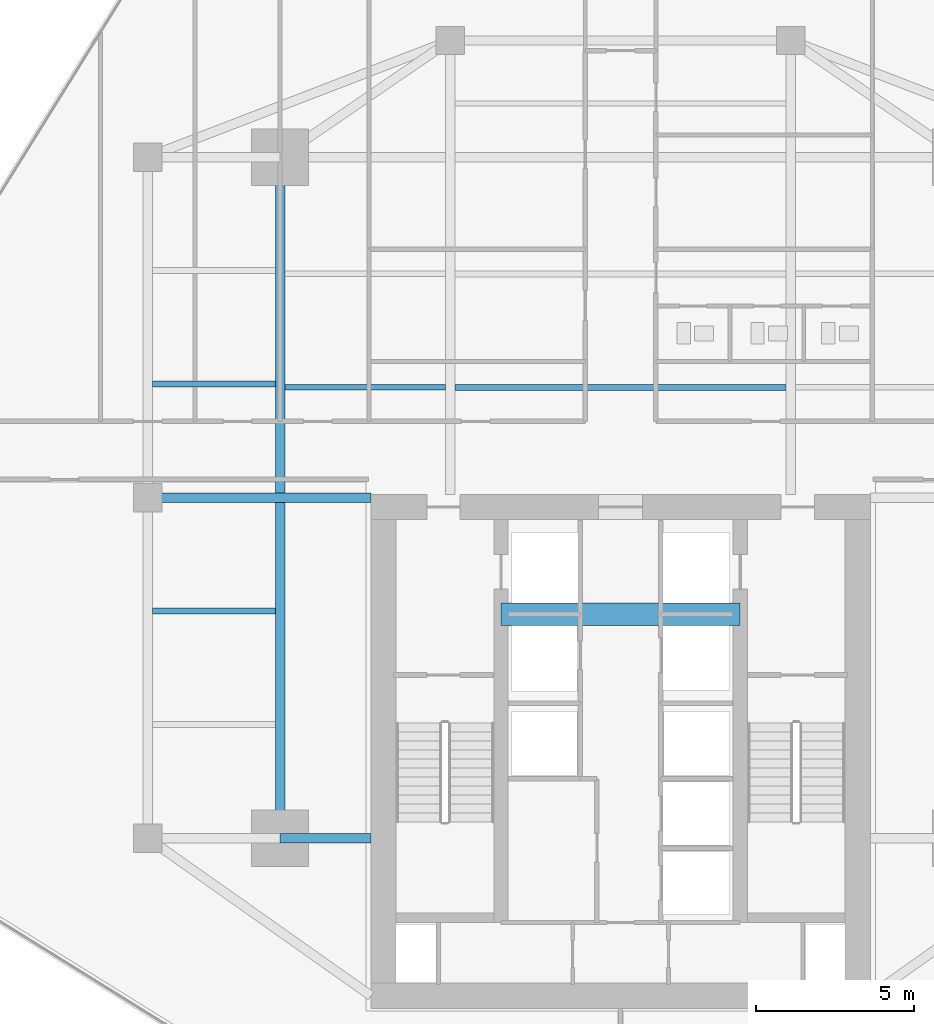
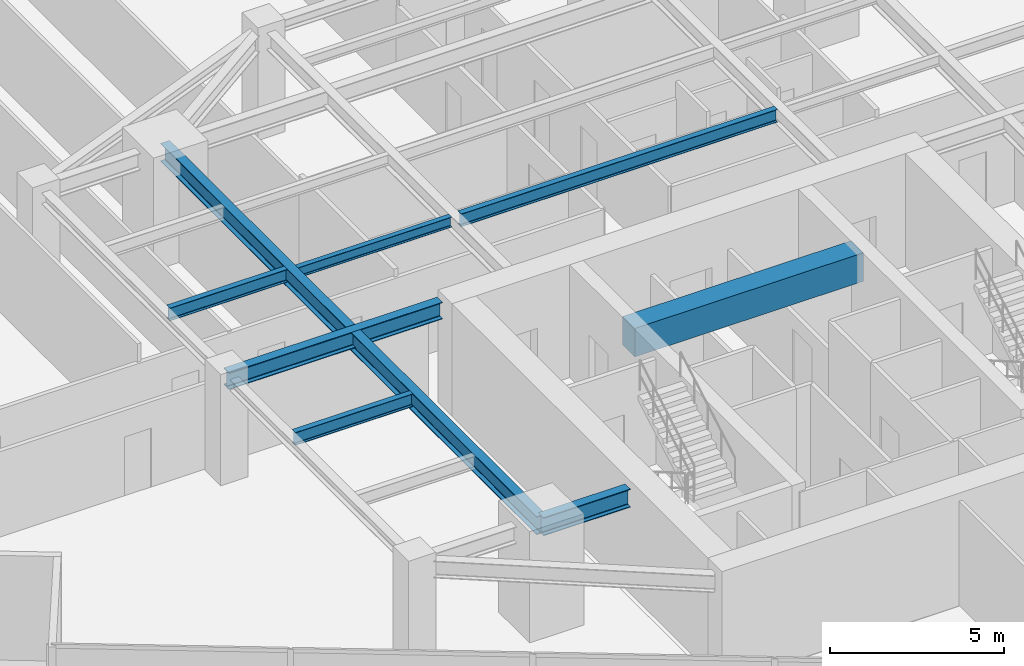
# One storey, part 8 of 26: 8 beams.
"""IFC4 building model written with IfcOpenShell, lengths in metres."""

from ifc_helpers import new_model, si_unit, direction, frame, origin, origin_2d, place, context, subcontext, project, spatial, rectangle, i_section, extrude, source, transform, mapped, material, material_profile, profile_set, type_object, type_shapes, element, save


model = new_model("IFC4")

# Units and contexts
model_context = context("Model", 3, precision=1e-05, world=origin(), true_north=direction((0.0, 1.0)))
body_context = subcontext(model_context, "Body", "Model", "MODEL_VIEW")
ifc_project = project(units=[si_unit("LENGTHUNIT", "METRE"), si_unit("AREAUNIT", "SQUARE_METRE"), si_unit("VOLUMEUNIT", "CUBIC_METRE"), si_unit("PLANEANGLEUNIT", "RADIAN"), si_unit("MASSUNIT", "GRAM", prefix="KILO")], contexts=[model_context])

# Site, building, storey
site_placement = place(None, origin())
site = spatial("IfcSite", under=ifc_project, at=site_placement, CompositionType="ELEMENT")
building_placement = place(site_placement, origin())
building = spatial("IfcBuilding", under=site, at=building_placement, Name="Krantzveldt Concourse Tower", CompositionType="ELEMENT")
storey_placement = place(building_placement, frame((0.0, 0.0, 173.85009765625)))
storey = spatial("IfcBuildingStorey", under=building, at=storey_placement, Name="L42", CompositionType="ELEMENT", Elevation=173.85009765625)

# Beams
ifc_material_1 = material(Name="Steel S355JR", Category="steel")
ifc_material_profile_1 = material_profile(ifc_material_1, i_section(OverallWidth=0.300048828125, OverallDepth=0.639892578125, WebThickness=0.013427734375, FlangeThickness=0.02587890625, FilletRadius=0.027099609375, at=origin_2d()), Name="Steel S355JR", Category="steel")
ifc_profile_set_1 = profile_set([ifc_material_profile_1], Name="Steel S355JR - HEA 650")
beam_type_1 = type_object("IfcBeamType", Name="BM-B-HEA650", PredefinedType="BEAM", material=ifc_profile_set_1)
shared_shape_1 = source(origin(), body_context, "Body", "SweptSolid", [
    extrude(i_section(OverallWidth=0.300048828125, OverallDepth=0.639892578125, WebThickness=0.013427734375, FlangeThickness=0.02587890625, FilletRadius=0.027099609375, at=origin_2d()), origin(), (0.0, 0.0, 1.0), 21.60009765625),
])
beam_1_placement = place(storey_placement, frame((25.199951171875, 15.89990234375, 3.349853515625), z_axis=(0.0, 1.0, 0.0), x_axis=(-1.0, 0.0, 0.0)))
element("IfcBeam", 1, at=beam_1_placement, inside=storey, type_object=beam_type_1, Name="L42 Tower Girder BG-MW", PredefinedType="BEAM", context=body_context, shape_type="MappedRepresentation", body=[
    mapped(shared_shape_1, transform((0.0, 0.0, 0.0), x_axis=(1.0, 0.0, 0.0), y_axis=(0.0, 1.0, 0.0), z_axis=(0.0, 0.0, 1.0), scale=1.0)),
])
ifc_material_profile_2 = material_profile(ifc_material_1, i_section(OverallWidth=0.300048828125, OverallDepth=0.590087890625, WebThickness=0.012939453125, FlangeThickness=0.02490234375, FilletRadius=0.027099609375, at=origin_2d()), Name="Steel S355JR", Category="steel")
ifc_profile_set_2 = profile_set([ifc_material_profile_2], Name="Steel S355JR - HEA 600")
beam_type_2 = type_object("IfcBeamType", Name="BM-B-HEA600", PredefinedType="BEAM", material=ifc_profile_set_2)
shared_shape_2 = source(origin(), body_context, "Body", "SweptSolid", [
    extrude(i_section(OverallWidth=0.300048828125, OverallDepth=0.590087890625, WebThickness=0.012939453125, FlangeThickness=0.02490234375, FilletRadius=0.027099609375, at=origin_2d()), origin(), (0.0, 0.0, 1.0), 7.080078125),
])
type_shapes(beam_type_2, [shared_shape_2])
beam_2_placement = place(storey_placement, frame((21.0, 26.699951171875, 3.375), z_axis=(1.0, 0.0, 0.0), x_axis=(0.0, 1.0, 0.0)))
element("IfcBeam", 2, at=beam_2_placement, inside=storey, type_object=beam_type_2, Name="L42 Tower Girder BG-CW2", PredefinedType="BEAM", context=body_context, shape_type="MappedRepresentation", body=[
    mapped(shared_shape_2, transform((0.0, 0.0, 0.0), x_axis=(1.0, 0.0, 0.0), y_axis=(0.0, 1.0, 0.0), z_axis=(0.0, 0.0, 1.0), scale=1.0)),
])
ifc_material_profile_3 = material_profile(ifc_material_1, i_section(OverallWidth=0.18994140625, OverallDepth=0.449951171875, WebThickness=0.009521484375, FlangeThickness=0.0146484375, FilletRadius=0.02099609375, at=origin_2d()), Name="Steel S355JR", Category="steel")
ifc_profile_set_3 = profile_set([ifc_material_profile_3], Name="Steel S355JR - IPE 450")
beam_type_3 = type_object("IfcBeamType", Name="BM-J-IPE450", PredefinedType="JOIST", material=ifc_profile_set_3)
shared_shape_3 = source(origin(), body_context, "Body", "SweptSolid", [
    extrude(i_section(OverallWidth=0.18994140625, OverallDepth=0.449951171875, WebThickness=0.009521484375, FlangeThickness=0.0146484375, FilletRadius=0.02099609375, at=origin_2d()), origin(), (0.0, 0.0, 1.0), 10.5),
])
beam_3_placement = place(storey_placement, frame((30.75, 30.199951171875, 3.44482421875), z_axis=(1.0, 0.0, 0.0), x_axis=(0.0, 1.0, 0.0)))
element("IfcBeam", 3, at=beam_3_placement, inside=storey, type_object=beam_type_3, Name="L42 Secondary Floor Joist JN-C1", PredefinedType="JOIST", context=body_context, shape_type="MappedRepresentation", body=[
    mapped(shared_shape_3, transform((0.0, 0.0, 0.0), x_axis=(1.0, 0.0, 0.0), y_axis=(0.0, 1.0, 0.0), z_axis=(0.0, 0.0, 1.0), scale=1.0)),
])
ifc_material_2 = material(Name="Concrete C50/60", Category="concrete")
ifc_material_profile_4 = material_profile(ifc_material_2, rectangle(XDim=0.699951171875, YDim=1.0, at=origin_2d()), Name="Concrete C50/60", Category="concrete")
ifc_profile_set_4 = profile_set([ifc_material_profile_4], Name="Concrete C50/60 - RC-CB 700x1000")
beam_type_4 = type_object("IfcBeamType", Name="BM-CB-1000", PredefinedType="LINTEL", material=ifc_profile_set_4)
shared_shape_4 = source(origin(), body_context, "Body", "SweptSolid", [
    extrude(rectangle(XDim=0.699951171875, YDim=1.0, at=origin_2d()), origin(), (0.0, 0.0, 1.0), 7.580078125),
])
type_shapes(beam_type_4, [shared_shape_4])
beam_4_placement = place(storey_placement, frame((32.2099609375, 23.0, 3.169921875), z_axis=(1.0, 0.0, 0.0), x_axis=(0.0, 1.0, 0.0)))
element("IfcBeam", 4, at=beam_4_placement, inside=storey, type_object=beam_type_4, Name="CB-L42-01", PredefinedType="LINTEL", context=body_context, shape_type="MappedRepresentation", body=[
    mapped(shared_shape_4, transform((0.0, 0.0, 0.0), x_axis=(1.0, 0.0, 0.0), y_axis=(0.0, 1.0, 0.0), z_axis=(0.0, 0.0, 1.0), scale=1.0)),
])
shared_shape_5 = source(origin(), body_context, "Body", "SweptSolid", [
    extrude(i_section(OverallWidth=0.300048828125, OverallDepth=0.639892578125, WebThickness=0.013427734375, FlangeThickness=0.02587890625, FilletRadius=0.027099609375, at=origin_2d()), origin(), (0.0, 0.0, 1.0), 2.880126953125),
])
type_shapes(beam_type_1, [shared_shape_1, shared_shape_5])
beam_5_placement = place(storey_placement, frame((25.199951171875, 15.89990234375, 3.349853515625), z_axis=(1.0, 0.0, 0.0), x_axis=(0.0, 1.0, 0.0)))
element("IfcBeam", 5, at=beam_5_placement, inside=storey, type_object=beam_type_1, Name="L42 Tower Girder BG-CW1", PredefinedType="BEAM", context=body_context, shape_type="MappedRepresentation", body=[
    mapped(shared_shape_5, transform((0.0, 0.0, 0.0), x_axis=(1.0, 0.0, 0.0), y_axis=(0.0, 1.0, 0.0), z_axis=(0.0, 0.0, 1.0), scale=1.0)),
])
ifc_material_profile_5 = material_profile(ifc_material_1, i_section(OverallWidth=0.169921875, OverallDepth=0.360107421875, WebThickness=0.008056640625, FlangeThickness=0.0126953125, FilletRadius=0.01806640625, at=origin_2d()), Name="Steel S355JR", Category="steel")
ifc_profile_set_5 = profile_set([ifc_material_profile_5], Name="Steel S355JR - IPE 360")
beam_type_5 = type_object("IfcBeamType", Name="BM-J-IPE360", PredefinedType="JOIST", material=ifc_profile_set_5)
shared_shape_6 = source(origin(), body_context, "Body", "SweptSolid", [
    extrude(i_section(OverallWidth=0.169921875, OverallDepth=0.360107421875, WebThickness=0.008056640625, FlangeThickness=0.0126953125, FilletRadius=0.01806640625, at=origin_2d()), origin(), (0.0, 0.0, 1.0), 5.099853515625),
])
type_shapes(beam_type_5, [shared_shape_6])
beam_6_placement = place(storey_placement, frame((25.35009765625, 30.199951171875, 3.489990234375), z_axis=(1.0, 0.0, 0.0), x_axis=(0.0, 1.0, 0.0)))
element("IfcBeam", 6, at=beam_6_placement, inside=storey, type_object=beam_type_5, Name="L42 Secondary Floor Joist JN-W1", PredefinedType="JOIST", context=body_context, shape_type="MappedRepresentation", body=[
    mapped(shared_shape_6, transform((0.0, 0.0, 0.0), x_axis=(1.0, 0.0, 0.0), y_axis=(0.0, 1.0, 0.0), z_axis=(0.0, 0.0, 1.0), scale=1.0)),
])
shared_shape_7 = source(origin(), body_context, "Body", "SweptSolid", [
    extrude(i_section(OverallWidth=0.18994140625, OverallDepth=0.449951171875, WebThickness=0.009521484375, FlangeThickness=0.0146484375, FilletRadius=0.02099609375, at=origin_2d()), origin(), (0.0, 0.0, 1.0), 3.900146484375),
])
type_shapes(beam_type_3, [shared_shape_3, shared_shape_7])
for number, where, z_axis, x_axis, name in (
    (7, (21.14990234375, 23.10009765625, 3.44482421875), (1.0, 0.0, 0.0), (0.0, 1.0, 0.0), "L42 Secondary Floor Joist JW-2"),
    (8, (21.14990234375, 30.300048828125, 3.44482421875), (1.0, 0.0, 0.0), (0.0, 1.0, 0.0), "L42 Secondary Floor Joist JW-3"),
):
    element("IfcBeam", number, at=place(storey_placement, frame(where, z_axis=z_axis, x_axis=x_axis)), inside=storey, type_object=beam_type_3, Name=name, PredefinedType="JOIST", context=body_context, shape_type="MappedRepresentation", body=[
        mapped(shared_shape_7, transform((0.0, 0.0, 0.0), x_axis=(1.0, 0.0, 0.0), y_axis=(0.0, 1.0, 0.0), z_axis=(0.0, 0.0, 1.0), scale=1.0)),
    ])

save(model, "model.ifc")
